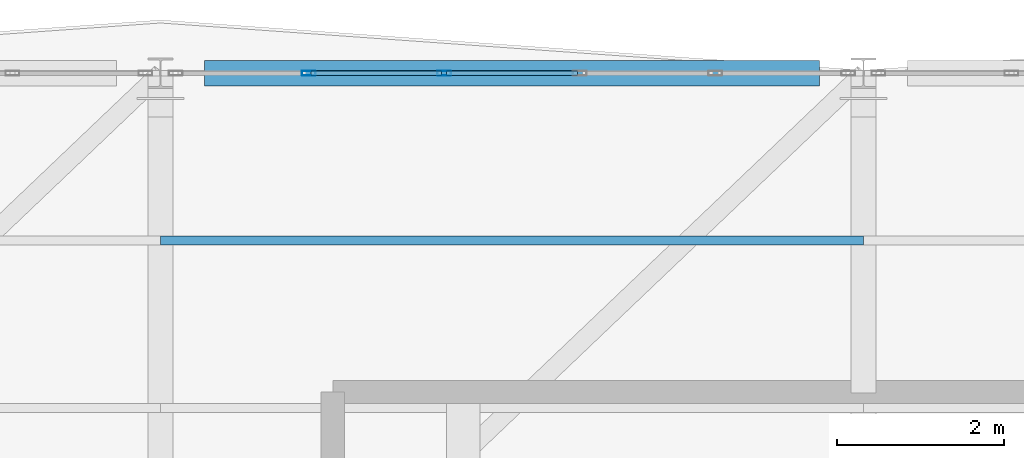
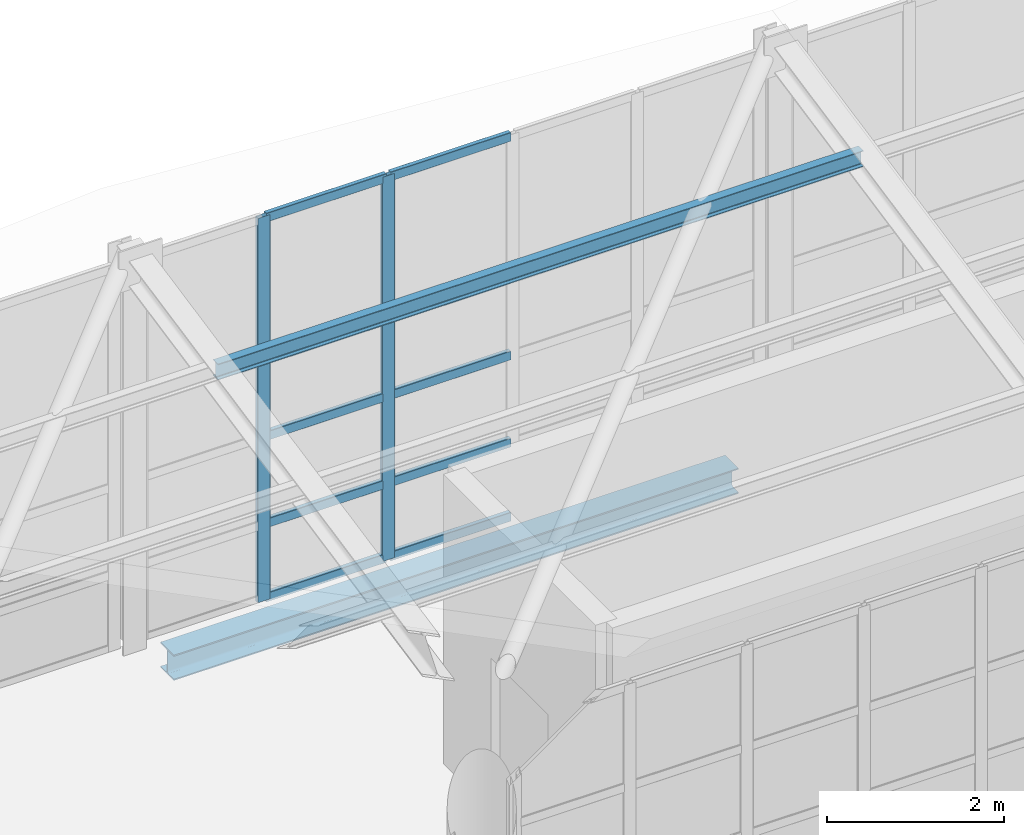
# One storey, part 84 of 177: 13 members, 1 beam, 1 element without a shape of its own.
"""IFC4 building model written with IfcOpenShell, lengths in metres."""

import ifcopenshell
import ifcopenshell.guid

model = None  # the IFC model being written
_history = None  # IfcOwnerHistory: only IFC2X3 demands one
_inside = {}  # id of a spatial element -> (the spatial element, [elements in it])
_under = {}  # id of a project, library or spatial element -> (it, [spatial elements below it])
_declared = {}  # id of a project -> (the project, [libraries it declares])
_typed = {}  # id of a type object -> (the type object, [elements of that type])
_made_of = {}  # id of a material, layer set ... -> (it, [elements and type objects made of it])


def new_model(schema):
    """Start an empty IFC model of exactly this schema.

    Asked for "IFC4X3", IfcOpenShell would pick the latest addendum, in which some entities
    have other attributes; the version numbers below select the first issue.
    IFC2X3 requires an IfcOwnerHistory on every rooted entity: one is made here for all.
    """
    global model, _history
    if schema == "IFC4X3":
        model = ifcopenshell.file(schema_version=(4, 3, 0, 0))
    else:
        model = ifcopenshell.file(schema=schema)
    _inside.clear()
    _under.clear()
    _declared.clear()
    _typed.clear()
    _made_of.clear()
    _history = None
    if model.schema == "IFC2X3":
        org = make("IfcOrganization", Name="unknown")
        user = make(
            "IfcPersonAndOrganization",
            ThePerson=make("IfcPerson", FamilyName="unknown"),
            TheOrganization=org,
        )
        app = make(
            "IfcApplication",
            ApplicationDeveloper=org,
            Version="unknown",
            ApplicationFullName="unknown",
            ApplicationIdentifier="unknown",
        )
        _history = make(
            "IfcOwnerHistory",
            OwningUser=user,
            OwningApplication=app,
            ChangeAction="ADDED",
            CreationDate=0,
        )
    return model


def make(cls, **values):
    """One entity of the class cls with the attributes given. An attribute that is None is left unset."""
    return model.create_entity(
        cls, **{name: value for name, value in values.items() if value is not None}
    )


def rooted(cls, **values):
    """An entity with a GlobalId (a new one), such as an element, a storey or a relation."""
    return make(cls, GlobalId=ifcopenshell.guid.new(), OwnerHistory=_history, **values)


def si_unit(unit_type, name, prefix=None):
    """IfcSIUnit, for example si_unit("LENGTHUNIT", "METRE", prefix="MILLI")."""
    return make("IfcSIUnit", UnitType=unit_type, Prefix=prefix, Name=name)


def assignment(units):
    """IfcUnitAssignment: the units of a project."""
    return None if units is None else make("IfcUnitAssignment", Units=units)


def point(xyz):
    """IfcCartesianPoint."""
    return None if xyz is None else make("IfcCartesianPoint", Coordinates=xyz)


def direction(xyz):
    """IfcDirection."""
    return None if xyz is None else make("IfcDirection", DirectionRatios=xyz)


def frame(location, z_axis=None, x_axis=None):
    """IfcAxis2Placement3D, a coordinate frame: its origin and axes. An axis left out is left unset."""
    return make(
        "IfcAxis2Placement3D",
        Location=point(location),
        Axis=direction(z_axis),
        RefDirection=direction(x_axis),
    )


def frame_2d(location, x_axis=None):
    """IfcAxis2Placement2D, a coordinate frame in the plane: its origin and x axis."""
    return make(
        "IfcAxis2Placement2D", Location=point(location), RefDirection=direction(x_axis)
    )


def origin():
    """The frame at (0, 0, 0) with its axes left unset."""
    return frame((0.0, 0.0, 0.0))


def origin_2d():
    """The frame at (0, 0) in the plane with its x axis left unset."""
    return frame_2d((0.0, 0.0))


def place(relative_to, where):
    """IfcLocalPlacement: puts the frame where relative to a parent placement (None: the world)."""
    return make(
        "IfcLocalPlacement", PlacementRelTo=relative_to, RelativePlacement=where
    )


def context(
    kind, dimensions, precision=None, world=None, true_north=None, identifier=None
):
    """IfcGeometricRepresentationContext, for example the 3D "Model" context."""
    return make(
        "IfcGeometricRepresentationContext",
        ContextIdentifier=identifier,
        ContextType=kind,
        CoordinateSpaceDimension=dimensions,
        Precision=precision,
        WorldCoordinateSystem=world,
        TrueNorth=true_north,
    )


def subcontext(parent, identifier, kind, view, scale=None):
    """IfcGeometricRepresentationSubContext, for example "Body" below "Model"."""
    return make(
        "IfcGeometricRepresentationSubContext",
        ContextIdentifier=identifier,
        ContextType=kind,
        ParentContext=parent,
        TargetScale=scale,
        TargetView=view,
    )


def project(units=None, contexts=None):
    """IfcProject with its units and contexts."""
    return rooted(
        "IfcProject",
        Name="project",
        RepresentationContexts=contexts,
        UnitsInContext=assignment(units),
    )


def spatial(cls, under=None, at=None, **own):
    """A site, building, storey or space (cls), placed at a placement, below another one or the project."""
    s = rooted(cls, ObjectPlacement=at, **own)
    if under is not None:
        _under.setdefault(under.id(), (under, []))[1].append(s)
    return s


def profile(cls, at=None, kind="AREA", **sizes):
    """A parametric profile (cls). Its sizes go by their IFC names, for example OverallWidth=200.0."""
    return make(cls, ProfileType=kind, Position=at, **sizes)


def hollow_rectangle(**sizes):
    """IfcRectangleHollowProfileDef."""
    return profile("IfcRectangleHollowProfileDef", **sizes)


def i_section(**sizes):
    """IfcIShapeProfileDef."""
    return profile("IfcIShapeProfileDef", **sizes)


def extrude(swept, where, along, depth):
    """IfcExtrudedAreaSolid: the profile swept, set in the frame where, extruded along a direction by depth."""
    return make(
        "IfcExtrudedAreaSolid",
        SweptArea=swept,
        Position=where,
        ExtrudedDirection=direction(along),
        Depth=depth,
    )


def shape(context_of_items, identifier, shape_type, items):
    """IfcShapeRepresentation: the items that make up one representation, for example the "Body"."""
    return make(
        "IfcShapeRepresentation",
        ContextOfItems=context_of_items,
        RepresentationIdentifier=identifier,
        RepresentationType=shape_type,
        Items=items,
    )


def material(Name=None, Category=None):
    """IfcMaterial."""
    return make("IfcMaterial", Name=Name, Category=Category)


def layer(
    of_material, thickness, ventilated=None, Name=None, Category=None, Priority=None
):
    """IfcMaterialLayer: one layer of a wall or slab, of a material (None: an air gap)."""
    return make(
        "IfcMaterialLayer",
        Material=of_material,
        LayerThickness=thickness,
        IsVentilated=ventilated,
        Name=Name,
        Category=Category,
        Priority=Priority,
    )


def layer_set(layers, Name=None):
    """IfcMaterialLayerSet."""
    return make("IfcMaterialLayerSet", MaterialLayers=layers, LayerSetName=Name)


def material_profile(
    of_material, cross_section, Name=None, Category=None, Priority=None
):
    """IfcMaterialProfile: a cross section and its material."""
    return make(
        "IfcMaterialProfile",
        Name=Name,
        Material=of_material,
        Profile=cross_section,
        Priority=Priority,
        Category=Category,
    )


def profile_set(profiles, Name=None, composite=None):
    """IfcMaterialProfileSet."""
    return make(
        "IfcMaterialProfileSet",
        Name=Name,
        MaterialProfiles=profiles,
        CompositeProfile=composite,
    )


def made_of(thing, what):
    """Note that an element or type object is made of a material, layer set ...; save() writes the relation."""
    if what is not None:
        _made_of.setdefault(what.id(), (what, []))[1].append(thing)
    return thing


def type_object(cls, material=None, **own):
    """A type object (cls), such as IfcWallType, which elements share."""
    return made_of(rooted(cls, **own), material)


def element(
    cls,
    number,
    at=None,
    inside=None,
    cuts=None,
    type_object=None,
    material=None,
    context=None,
    identifier="Body",
    shape_type=None,
    held_by="IfcProductDefinitionShape",
    body=None,
    shapes=None,
    **own,
):
    """One element of the class cls, such as IfcWall. Its Tag is "e" and its number.

    at: its placement. inside: the storey or other place that contains it. cuts: it is an
    opening in that element (IfcRelVoidsElement). A single representation is given by context,
    identifier, shape_type and body (its items); several are given by shapes. held_by: the class
    of the entity that holds the representations. save() writes the other relations.
    """
    e = rooted(cls, Tag="e%d" % number, ObjectPlacement=at, **own)
    if body is not None:
        shapes = [shape(context, identifier, shape_type, body)]
    if shapes is not None:
        e.Representation = make(held_by, Representations=shapes)
    if inside is not None:
        _inside.setdefault(inside.id(), (inside, []))[1].append(e)
    if cuts is not None:
        rooted(
            "IfcRelVoidsElement", RelatingBuildingElement=cuts, RelatedOpeningElement=e
        )
    if type_object is not None:
        _typed.setdefault(type_object.id(), (type_object, []))[1].append(e)
    return made_of(e, material)


def aggregate(whole, parts):
    """IfcRelAggregates: a whole, such as a stair, and the parts it consists of."""
    return rooted("IfcRelAggregates", RelatingObject=whole, RelatedObjects=parts)


def save(model, path):
    """Write the relations noted so far, then the file.

    IfcRelAggregates (storeys below a building ...), IfcRelContainedInSpatialStructure (elements
    in a storey), IfcRelDefinesByType, IfcRelAssociatesMaterial and IfcRelDeclares: one each for
    every whole, place, type object, material and project.
    """
    for whole, parts in _under.values():
        aggregate(whole, parts)
    for where, things in _inside.values():
        rooted(
            "IfcRelContainedInSpatialStructure",
            RelatedElements=things,
            RelatingStructure=where,
        )
    for kind, things in _typed.values():
        rooted("IfcRelDefinesByType", RelatedObjects=things, RelatingType=kind)
    for what, things in _made_of.values():
        rooted("IfcRelAssociatesMaterial", RelatedObjects=things, RelatingMaterial=what)
    for by, libraries in _declared.values():
        rooted("IfcRelDeclares", RelatingContext=by, RelatedDefinitions=libraries)
    model.write(path)


model = new_model("IFC4")

# Units and contexts
model_context = context("Model", 3, precision=1e-05, world=origin(), true_north=direction((0.0, 1.0)))
body_context = subcontext(model_context, "Body", "Model", "MODEL_VIEW")
ifc_project = project(units=[si_unit("LENGTHUNIT", "METRE"), si_unit("AREAUNIT", "SQUARE_METRE"), si_unit("VOLUMEUNIT", "CUBIC_METRE"), si_unit("PLANEANGLEUNIT", "RADIAN"), si_unit("MASSUNIT", "GRAM", prefix="KILO"), si_unit("THERMODYNAMICTEMPERATUREUNIT", "KELVIN"), si_unit("POWERUNIT", "WATT")], contexts=[model_context])

# Site, building, storey
site_placement = place(None, origin())
site = spatial("IfcSite", under=ifc_project, at=site_placement, CompositionType="ELEMENT")
building_placement = place(site_placement, origin())
building = spatial("IfcBuilding", under=site, at=building_placement, Name="Mavoryth Pier Ferry Terminal", CompositionType="ELEMENT")
storey_placement = place(building_placement, frame((0.0, 0.0, 5.43994140625)))
storey = spatial("IfcBuildingStorey", under=building, at=storey_placement, Name="L01", CompositionType="ELEMENT", Elevation=5.43994140625)

# Curtain wall, members
ifc_material_1 = material(Name="Anodised Aluminium and Solar-Control Low-E Glass", Category="aluminium")
ifc_layer = layer(ifc_material_1, 0.139892578125, Name="Anodised Aluminium and Solar-Control Low-E Glass", Category="aluminium")
ifc_layer_set = layer_set([ifc_layer], Name="Anodised Aluminium and Solar-Control Low-E Glass - CW-Gallery-Mod1600")
curtain_wall_type = type_object("IfcCurtainWallType", Name="CW-Gallery-Mod1600", PredefinedType="USERDEFINED", material=ifc_layer_set)
curtain_wall_placement = place(storey_placement, origin())
curtain_wall = element("IfcCurtainWall", 1, at=curtain_wall_placement, inside=storey, type_object=curtain_wall_type, Name="Curtain Wall CW-0122-078", ObjectType="UNITISED CURTAIN WALL", PredefinedType="USERDEFINED")
ifc_material_2 = material(Name="Anodised Aluminium EN AW-6063", Category="aluminium")
ifc_material_profile_1 = material_profile(ifc_material_2, hollow_rectangle(XDim=0.06005859375, YDim=0.1650390625, WallThickness=0.00390625, InnerFilletRadius=0.00390625, OuterFilletRadius=0.008056640625, at=origin_2d()), Name="AL-MULL 165x60x4", Category="aluminium")
ifc_profile_set_1 = profile_set([ifc_material_profile_1], Name="Anodised Aluminium EN AW-6063 - AL-MULL 165x60x4")
member_type_1 = type_object("IfcMemberType", Name="Mullion-Alum-165x60", PredefinedType="MULLION", material=ifc_profile_set_1)
member_1_placement = place(storey_placement, frame((62.18994140625, 114.0, 0.0), z_axis=(0.0, 0.0, 1.0), x_axis=(0.0, -1.0, 0.0)))
member_1 = element("IfcMember", 2, at=member_1_placement, type_object=member_type_1, Name="CW05 mullion 4", PredefinedType="MULLION", context=body_context, shape_type="SweptSolid", body=[
    extrude(hollow_rectangle(XDim=0.06005859375, YDim=0.1650390625, WallThickness=0.00390625, InnerFilletRadius=0.00390625, OuterFilletRadius=0.008056640625, at=origin_2d()), origin(), (0.0, 0.0, 1.0), 5.28759765625),
])
member_2_placement = place(storey_placement, frame((60.570068359375, 114.0, 0.0), z_axis=(0.0, 0.0, 1.0), x_axis=(0.0, -1.0, 0.0)))
member_2 = element("IfcMember", 3, at=member_2_placement, type_object=member_type_1, Name="CW05 mullion 5", PredefinedType="MULLION", context=body_context, shape_type="SweptSolid", body=[
    extrude(hollow_rectangle(XDim=0.06005859375, YDim=0.1650390625, WallThickness=0.00390625, InnerFilletRadius=0.00390625, OuterFilletRadius=0.008056640625, at=origin_2d()), origin(), (0.0, 0.0, 1.0), 5.28759765625),
])

# Member
ifc_material_3 = material(Name="Steel S355J2", Category="steel")
ifc_material_profile_2 = material_profile(ifc_material_3, i_section(OverallWidth=0.110107421875, OverallDepth=0.219970703125, WebThickness=0.005859375, FlangeThickness=0.00927734375, FilletRadius=0.011962890625, at=origin_2d()), Name="IPE 220", Category="steel")
ifc_profile_set_2 = profile_set([ifc_material_profile_2], Name="Steel S355J2 - IPE 220")
member_type_2 = type_object("IfcMemberType", Name="Purlin-Roof-IPE220", PredefinedType="PURLIN", material=ifc_profile_set_2)
member_3_placement = place(storey_placement, frame((58.800048828125, 112.0, 4.991943359375), z_axis=(1.0, 0.0, 0.0), x_axis=(0.0, 1.0, 0.0)))
element("IfcMember", 4, at=member_3_placement, inside=storey, type_object=member_type_2, Name="Steel Member MB-L01-0256", PredefinedType="PURLIN", context=body_context, shape_type="SweptSolid", body=[
    extrude(i_section(OverallWidth=0.110107421875, OverallDepth=0.219970703125, WebThickness=0.005859375, FlangeThickness=0.00927734375, FilletRadius=0.011962890625, at=origin_2d()), origin(), (0.0, 0.0, 1.0), 8.39990234375),
])

# Beam
ifc_material_profile_3 = material_profile(ifc_material_3, i_section(OverallWidth=0.300048828125, OverallDepth=0.35009765625, WebThickness=0.010009765625, FlangeThickness=0.017578125, FilletRadius=0.027099609375, at=origin_2d()), Name="HEA 360", Category="steel")
ifc_profile_set_3 = profile_set([ifc_material_profile_3], Name="Steel S355J2 - HEA 360")
beam_type = type_object("IfcBeamType", Name="Spandrel-Steel-HEA360", PredefinedType="SPANDREL", material=ifc_profile_set_3)
beam_placement = place(storey_placement, frame((59.324951171875, 114.0, -0.4150390625), z_axis=(1.0, 0.0, 0.0), x_axis=(0.0, 1.0, 0.0)))
element("IfcBeam", 5, at=beam_placement, inside=storey, type_object=beam_type, Name="Beam B01-SP03-0267", PredefinedType="SPANDREL", context=body_context, shape_type="SweptSolid", body=[
    extrude(i_section(OverallWidth=0.300048828125, OverallDepth=0.35009765625, WebThickness=0.010009765625, FlangeThickness=0.017578125, FilletRadius=0.027099609375, at=origin_2d()), origin(), (0.0, 0.0, 1.0), 7.35009765625),
])

# Member
ifc_material_profile_4 = material_profile(ifc_material_2, hollow_rectangle(XDim=0.06005859375, YDim=0.125, WallThickness=0.00390625, InnerFilletRadius=0.00390625, OuterFilletRadius=0.008056640625, at=origin_2d()), Name="AL-TRAN 125x60x4", Category="aluminium")
ifc_profile_set_4 = profile_set([ifc_material_profile_4], Name="Anodised Aluminium EN AW-6063 - AL-TRAN 125x60x4")
member_type_3 = type_object("IfcMemberType", Name="Transom-Alum-125x60", PredefinedType="USERDEFINED", material=ifc_profile_set_4)
member_4_placement = place(storey_placement, frame((63.780029296875, 114.0, 0.030029296875), z_axis=(-1.0, 0.0, 0.0), x_axis=(0.0, -1.0, 0.0)))
member_4 = element("IfcMember", 6, at=member_4_placement, type_object=member_type_3, Name="CW05 transom 3.1", ObjectType="TRANSOM", PredefinedType="USERDEFINED", context=body_context, shape_type="SweptSolid", body=[
    extrude(hollow_rectangle(XDim=0.06005859375, YDim=0.125, WallThickness=0.00390625, InnerFilletRadius=0.00390625, OuterFilletRadius=0.008056640625, at=origin_2d()), origin(), (0.0, 0.0, 1.0), 1.56005859375),
])

member_5_placement = place(storey_placement, frame((63.780029296875, 114.0, 1.050048828125), z_axis=(-1.0, 0.0, 0.0), x_axis=(0.0, -1.0, 0.0)))
member_5 = element("IfcMember", 7, at=member_5_placement, type_object=member_type_3, Name="CW05 transom 3.2", ObjectType="TRANSOM", PredefinedType="USERDEFINED", context=body_context, shape_type="SweptSolid", body=[
    extrude(hollow_rectangle(XDim=0.06005859375, YDim=0.125, WallThickness=0.00390625, InnerFilletRadius=0.00390625, OuterFilletRadius=0.008056640625, at=origin_2d()), origin(), (0.0, 0.0, 1.0), 1.56005859375),
])

member_6_placement = place(storey_placement, frame((63.780029296875, 114.0, 2.25), z_axis=(-1.0, 0.0, 0.0), x_axis=(0.0, -1.0, 0.0)))
member_6 = element("IfcMember", 8, at=member_6_placement, type_object=member_type_3, Name="CW05 transom 3.3", ObjectType="TRANSOM", PredefinedType="USERDEFINED", context=body_context, shape_type="SweptSolid", body=[
    extrude(hollow_rectangle(XDim=0.06005859375, YDim=0.125, WallThickness=0.00390625, InnerFilletRadius=0.00390625, OuterFilletRadius=0.008056640625, at=origin_2d()), origin(), (0.0, 0.0, 1.0), 1.56005859375),
])

member_7_placement = place(storey_placement, frame((63.780029296875, 114.0, 3.300048828125), z_axis=(-1.0, 0.0, 0.0), x_axis=(0.0, -1.0, 0.0)))
member_7 = element("IfcMember", 9, at=member_7_placement, type_object=member_type_3, Name="CW05 transom 3.4", ObjectType="TRANSOM", PredefinedType="USERDEFINED", context=body_context, shape_type="SweptSolid", body=[
    extrude(hollow_rectangle(XDim=0.06005859375, YDim=0.125, WallThickness=0.00390625, InnerFilletRadius=0.00390625, OuterFilletRadius=0.008056640625, at=origin_2d()), origin(), (0.0, 0.0, 1.0), 1.56005859375),
])

member_8_placement = place(storey_placement, frame((63.780029296875, 114.0, 5.257568359375), z_axis=(-1.0, 0.0, 0.0), x_axis=(0.0, -1.0, 0.0)))
member_8 = element("IfcMember", 10, at=member_8_placement, type_object=member_type_3, Name="CW05 transom 3.5", ObjectType="TRANSOM", PredefinedType="USERDEFINED", context=body_context, shape_type="SweptSolid", body=[
    extrude(hollow_rectangle(XDim=0.06005859375, YDim=0.125, WallThickness=0.00390625, InnerFilletRadius=0.00390625, OuterFilletRadius=0.008056640625, at=origin_2d()), origin(), (0.0, 0.0, 1.0), 1.56005859375),
])

member_9_placement = place(storey_placement, frame((62.159912109375, 114.0, 0.030029296875), z_axis=(-1.0, 0.0, 0.0), x_axis=(0.0, -1.0, 0.0)))
member_9 = element("IfcMember", 11, at=member_9_placement, type_object=member_type_3, Name="CW05 transom 4.1", ObjectType="TRANSOM", PredefinedType="USERDEFINED", context=body_context, shape_type="SweptSolid", body=[
    extrude(hollow_rectangle(XDim=0.06005859375, YDim=0.125, WallThickness=0.00390625, InnerFilletRadius=0.00390625, OuterFilletRadius=0.008056640625, at=origin_2d()), origin(), (0.0, 0.0, 1.0), 1.559814453125),
])

member_10_placement = place(storey_placement, frame((62.159912109375, 114.0, 1.050048828125), z_axis=(-1.0, 0.0, 0.0), x_axis=(0.0, -1.0, 0.0)))
member_10 = element("IfcMember", 12, at=member_10_placement, type_object=member_type_3, Name="CW05 transom 4.2", ObjectType="TRANSOM", PredefinedType="USERDEFINED", context=body_context, shape_type="SweptSolid", body=[
    extrude(hollow_rectangle(XDim=0.06005859375, YDim=0.125, WallThickness=0.00390625, InnerFilletRadius=0.00390625, OuterFilletRadius=0.008056640625, at=origin_2d()), origin(), (0.0, 0.0, 1.0), 1.559814453125),
])

member_11_placement = place(storey_placement, frame((62.159912109375, 114.0, 2.25), z_axis=(-1.0, 0.0, 0.0), x_axis=(0.0, -1.0, 0.0)))
member_11 = element("IfcMember", 13, at=member_11_placement, type_object=member_type_3, Name="CW05 transom 4.3", ObjectType="TRANSOM", PredefinedType="USERDEFINED", context=body_context, shape_type="SweptSolid", body=[
    extrude(hollow_rectangle(XDim=0.06005859375, YDim=0.125, WallThickness=0.00390625, InnerFilletRadius=0.00390625, OuterFilletRadius=0.008056640625, at=origin_2d()), origin(), (0.0, 0.0, 1.0), 1.559814453125),
])

member_12_placement = place(storey_placement, frame((62.159912109375, 114.0, 3.300048828125), z_axis=(-1.0, 0.0, 0.0), x_axis=(0.0, -1.0, 0.0)))
member_12 = element("IfcMember", 14, at=member_12_placement, type_object=member_type_3, Name="CW05 transom 4.4", ObjectType="TRANSOM", PredefinedType="USERDEFINED", context=body_context, shape_type="SweptSolid", body=[
    extrude(hollow_rectangle(XDim=0.06005859375, YDim=0.125, WallThickness=0.00390625, InnerFilletRadius=0.00390625, OuterFilletRadius=0.008056640625, at=origin_2d()), origin(), (0.0, 0.0, 1.0), 1.559814453125),
])

member_13_placement = place(storey_placement, frame((62.159912109375, 114.0, 5.257568359375), z_axis=(-1.0, 0.0, 0.0), x_axis=(0.0, -1.0, 0.0)))
member_13 = element("IfcMember", 15, at=member_13_placement, type_object=member_type_3, Name="CW05 transom 4.5", ObjectType="TRANSOM", PredefinedType="USERDEFINED", context=body_context, shape_type="SweptSolid", body=[
    extrude(hollow_rectangle(XDim=0.06005859375, YDim=0.125, WallThickness=0.00390625, InnerFilletRadius=0.00390625, OuterFilletRadius=0.008056640625, at=origin_2d()), origin(), (0.0, 0.0, 1.0), 1.559814453125),
])

aggregate(curtain_wall, [member_1, member_2, member_4, member_5, member_6, member_7, member_8, member_9, member_10, member_11, member_12, member_13])

save(model, "model.ifc")
